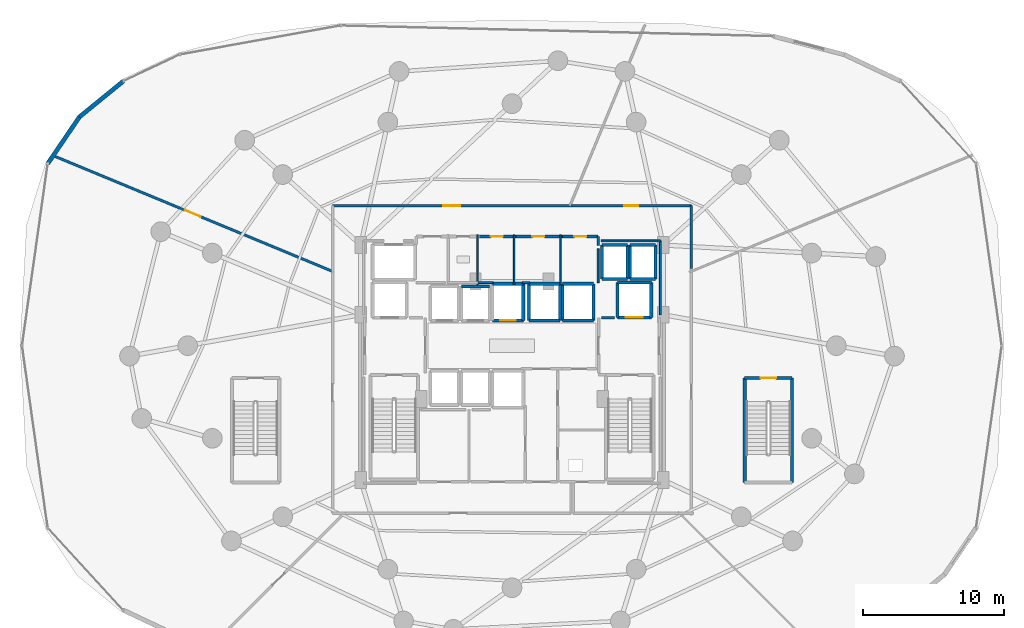
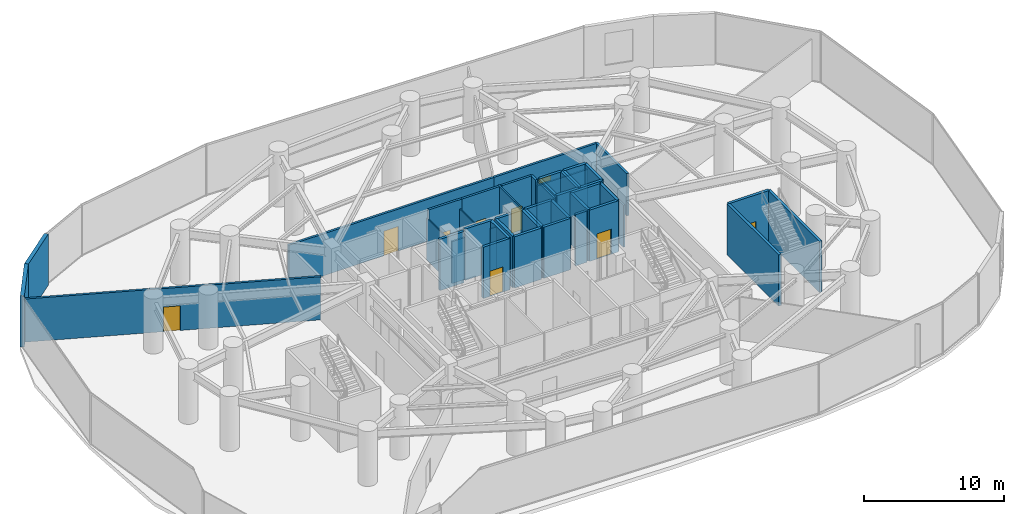
# One storey, part 23 of 26: 46 walls, 9 doors, 9 openings.
"""IFC4 building model written with IfcOpenShell, lengths in metres."""

from ifc_helpers import new_model, si_unit, direction, frame, frame_2d, origin, place, context, subcontext, project, spatial, rectangle, extrude, material, layer, layer_set, type_object, element, fill, save


model = new_model("IFC4")

# Units and contexts
model_context = context("Model", 3, precision=1e-05, world=origin(), true_north=direction((0.0, 1.0)))
body_context = subcontext(model_context, "Body", "Model", "MODEL_VIEW")
ifc_project = project(units=[si_unit("LENGTHUNIT", "METRE"), si_unit("AREAUNIT", "SQUARE_METRE"), si_unit("VOLUMEUNIT", "CUBIC_METRE"), si_unit("PLANEANGLEUNIT", "RADIAN"), si_unit("MASSUNIT", "GRAM", prefix="KILO")], contexts=[model_context])

# Site, building, storey
site_placement = place(None, origin())
site = spatial("IfcSite", under=ifc_project, at=site_placement, CompositionType="ELEMENT")
building_placement = place(site_placement, origin())
building = spatial("IfcBuilding", under=site, at=building_placement, Name="Vorneva Point Tower", CompositionType="ELEMENT")
storey_placement = place(building_placement, frame((0.0, 0.0, 14.39990234375)))
storey = spatial("IfcBuildingStorey", under=building, at=storey_placement, Name="L03", CompositionType="ELEMENT", Elevation=14.39990234375)

# Wall, opening, door
ifc_material_1 = material(Name="Concrete B60 (C50/60)", Category="concrete")
ifc_layer_1 = layer(ifc_material_1, 0.5)
ifc_layer_set_1 = layer_set([ifc_layer_1], Name="Concrete B60 (C50/60)")
wall_type_1 = type_object("IfcWallType", Name="WL-CORE-500", PredefinedType="SHEAR", material=ifc_layer_set_1)
wall_1_placement = place(storey_placement, frame((45.5, 28.0, 0.0), z_axis=(0.0, 0.0, 1.0), x_axis=(1.0, 0.0, 0.0)))
wall_1 = element("IfcWall", 1, at=wall_1_placement, inside=storey, type_object=wall_type_1, Name="L03 Lift FFL2 Shaft Wall -Y", PredefinedType="SHEAR", context=body_context, shape_type="SweptSolid", body=[
    extrude(rectangle(XDim=2.39990234375, YDim=0.219970703125, at=frame_2d((1.199951171875, 0.0))), origin(), (0.0, 0.0, 1.0), 4.47998046875),
])
opening_1_placement = place(wall_1_placement, frame((0.60009765625, 0.0, 0.0)))
opening_1 = element("IfcOpeningElement", 2, at=opening_1_placement, cuts=wall_1, Name="Opening LD-02", PredefinedType="OPENING", context=body_context, shape_type="SweptSolid", body=[
    extrude(rectangle(XDim=1.199951171875, YDim=2.199951171875, at=frame_2d((0.60009765625, 1.10009765625))), frame((0.0, 0.125, 0.0), z_axis=(0.0, -1.0, 0.0), x_axis=(1.0, 0.0, 0.0)), (0.0, 0.0, 1.0), 0.249755859375),
])
ifc_material_2 = material(Name="Brushed stainless steel S304", Category="steel")
door_type_1 = type_object("IfcDoorType", Name="LD-FIRE-1200", OperationType="SLIDING_TO_LEFT", PredefinedType="DOOR", material=ifc_material_2)
door_1_placement = place(opening_1_placement, origin())
door_1 = element("IfcDoor", 3, at=door_1_placement, inside=storey, type_object=door_type_1, Name="L03 Lift FFL2 Sliding Landing Door", OperationType="SLIDING_TO_LEFT", OverallHeight=2.199951171875, OverallWidth=1.199951171875, PredefinedType="DOOR", context=body_context, shape_type="SweptSolid", body=[
    extrude(rectangle(XDim=1.199951171875, YDim=2.199951171875, at=frame_2d((0.60009765625, 1.10009765625))), frame((0.0, 0.02490234375, 0.0), z_axis=(0.0, -1.0, 0.0), x_axis=(1.0, 0.0, 0.0)), (0.0, 0.0, 1.0), 0.050048828125),
])
fill(opening_1, door_1)

# Walls
wall_2_placement = place(storey_placement, frame((47.89990234375, 28.0, 0.0), z_axis=(0.0, 0.0, 1.0), x_axis=(0.0, 1.0, 0.0)))
element("IfcWall", 4, at=wall_2_placement, inside=storey, type_object=wall_type_1, Name="L03 Lift FFL2 Shaft Wall +X", PredefinedType="SHEAR", context=body_context, shape_type="SweptSolid", body=[
    extrude(rectangle(XDim=2.5, YDim=0.219970703125, at=frame_2d((1.25, 0.0))), origin(), (0.0, 0.0, 1.0), 4.47998046875),
])
wall_3_placement = place(storey_placement, frame((47.89990234375, 30.5, 0.0), z_axis=(0.0, 0.0, 1.0), x_axis=(-1.0, 0.0, 0.0)))
element("IfcWall", 5, at=wall_3_placement, inside=storey, type_object=wall_type_1, Name="L03 Lift FFL2 Shaft Wall +Y", PredefinedType="SHEAR", context=body_context, shape_type="SweptSolid", body=[
    extrude(rectangle(XDim=2.39990234375, YDim=0.219970703125, at=frame_2d((1.199951171875, 0.0))), origin(), (0.0, 0.0, 1.0), 4.47998046875),
])
wall_4_placement = place(storey_placement, frame((45.5, 30.5, 0.0), z_axis=(0.0, 0.0, 1.0), x_axis=(0.0, -1.0, 0.0)))
element("IfcWall", 6, at=wall_4_placement, inside=storey, type_object=wall_type_1, Name="L03 Lift FFL2 Shaft Wall -X", PredefinedType="SHEAR", context=body_context, shape_type="SweptSolid", body=[
    extrude(rectangle(XDim=2.5, YDim=0.219970703125, at=frame_2d((1.25, 0.0))), origin(), (0.0, 0.0, 1.0), 4.47998046875),
])
ifc_material_3 = material(Name="Precast concrete B50 (C40/50)", Category="concrete")
ifc_layer_2 = layer(ifc_material_3, 0.300048828125)
ifc_layer_set_2 = layer_set([ifc_layer_2], Name="Precast concrete B50 (C40/50)")
wall_type_2 = type_object("IfcWallType", Name="WL-EXT-300", PredefinedType="STANDARD", material=ifc_layer_set_2)
wall_5_placement = place(storey_placement, frame((10.380126953125, 44.802490234375, 0.0), z_axis=(0.0, 0.0, 1.0), x_axis=(-0.775604863632, -0.631218738244, 0.0)))
element("IfcWall", 7, at=wall_5_placement, inside=storey, type_object=wall_type_2, Name="L03 Pale-Metal Facade Spandrel Wall 07.1", PredefinedType="STANDARD", context=body_context, shape_type="SweptSolid", body=[
    extrude(rectangle(XDim=4.02099609375, YDim=0.300048828125, at=frame_2d((2.010498046875, 0.0))), origin(), (0.0, 0.0, 1.0), 4.47998046875),
])
wall_6_placement = place(storey_placement, frame((7.261474609375, 42.264404296875, 0.0), z_axis=(0.0, 0.0, 1.0), x_axis=(-0.561523750755, -0.827460619811, 0.0)))
element("IfcWall", 8, at=wall_6_placement, inside=storey, type_object=wall_type_2, Name="L03 Pale-Metal Facade Spandrel Wall 07.2", PredefinedType="STANDARD", context=body_context, shape_type="SweptSolid", body=[
    extrude(rectangle(XDim=4.010009765625, YDim=0.300048828125, at=frame_2d((2.0048828125, 0.0))), origin(), (0.0, 0.0, 1.0), 4.47998046875),
])
ifc_material_4 = material(Name="Fire-rated acoustic gypsum stud partition", Category="gypsum")
ifc_layer_3 = layer(ifc_material_4, 0.110107421875)
ifc_layer_set_3 = layer_set([ifc_layer_3], Name="Fire-rated acoustic gypsum stud partition")
wall_type_3 = type_object("IfcWallType", Name="WL-PART-110", PredefinedType="PARTITIONING", material=ifc_layer_set_3)
for number, where, z_axis, x_axis, name in (
    (9, (35.550048828125, 30.340087890625, 0.0), (0.0, 0.0, 1.0), (0.0, 1.0, 0.0), "L03 Interior Partition 017"),
    (10, (38.14990234375, 30.340087890625, 0.0), (0.0, 0.0, 1.0), (0.0, 1.0, 0.0), "L03 Interior Partition 019"),
):
    element("IfcWall", number, at=place(storey_placement, frame(where, z_axis=z_axis, x_axis=x_axis)), inside=storey, type_object=wall_type_3, Name=name, PredefinedType="PARTITIONING", context=body_context, shape_type="SweptSolid", body=[
        extrude(rectangle(XDim=3.559814453125, YDim=0.110107421875, at=frame_2d((1.77978515625, 0.0))), origin(), (0.0, 0.0, 1.0), 3.672119140625),
    ])
wall_7_placement = place(storey_placement, frame((41.449951171875, 30.340087890625, 0.0), z_axis=(0.0, 0.0, 1.0), x_axis=(0.0, 1.0, 0.0)))
element("IfcWall", 11, at=wall_7_placement, inside=storey, type_object=wall_type_3, Name="L03 Interior Partition 021", PredefinedType="PARTITIONING", context=body_context, shape_type="SweptSolid", body=[
    extrude(rectangle(XDim=3.559814453125, YDim=0.110107421875, at=frame_2d((1.77978515625, 0.0))), origin(), (0.0, 0.0, 1.0), 4.47998046875),
])
ifc_layer_4 = layer(ifc_material_4, 0.139892578125)
ifc_layer_set_4 = layer_set([ifc_layer_4], Name="Fire-rated acoustic gypsum stud partition")
wall_type_4 = type_object("IfcWallType", Name="WL-PART-140", PredefinedType="PARTITIONING", material=ifc_layer_set_4)
wall_8_placement = place(storey_placement, frame((35.60009765625, 30.47998046875, 0.0), z_axis=(0.0, 0.0, 1.0), x_axis=(1.0, 0.0, 0.0)))
element("IfcWall", 12, at=wall_8_placement, inside=storey, type_object=wall_type_4, Name="L03 Interior Closure Partition 049", PredefinedType="PARTITIONING", context=body_context, shape_type="SweptSolid", body=[
    extrude(rectangle(XDim=1.06494140625, YDim=0.139892578125, at=frame_2d((0.532470703125, 0.0))), origin(), (0.0, 0.0, 1.0), 3.672119140625),
])
wall_9_placement = place(storey_placement, frame((38.735107421875, 30.47998046875, 0.0), z_axis=(0.0, 0.0, 1.0), x_axis=(1.0, 0.0, 0.0)))
element("IfcWall", 13, at=wall_9_placement, inside=storey, type_object=wall_type_4, Name="L03 Interior Closure Partition 050", PredefinedType="PARTITIONING", context=body_context, shape_type="SweptSolid", body=[
    extrude(rectangle(XDim=0.52978515625, YDim=0.139892578125, at=frame_2d((0.264892578125, 0.0))), origin(), (0.0, 0.0, 1.0), 3.672119140625),
])
wall_10_placement = place(storey_placement, frame((44.1201171875, 30.47998046875, 0.0), z_axis=(0.0, 0.0, 1.0), x_axis=(0.0, 1.0, 0.0)))
element("IfcWall", 14, at=wall_10_placement, inside=storey, type_object=wall_type_4, Name="L03 Interior Closure Partition 051", PredefinedType="PARTITIONING", context=body_context, shape_type="SweptSolid", body=[
    extrude(rectangle(XDim=2.409912109375, YDim=0.139892578125, at=frame_2d((1.205078125, 0.0))), origin(), (0.0, 0.0, 1.0), 4.47998046875),
])
wall_11_placement = place(storey_placement, frame((44.340087890625, 33.449951171875, 0.0), z_axis=(0.0, 0.0, 1.0), x_axis=(1.0, 0.0, 0.0)))
element("IfcWall", 15, at=wall_11_placement, inside=storey, type_object=wall_type_4, Name="L03 Interior Closure Partition 054", PredefinedType="PARTITIONING", context=body_context, shape_type="SweptSolid", body=[
    extrude(rectangle(XDim=4.2099609375, YDim=0.139892578125, at=frame_2d((2.10498046875, 0.0))), origin(), (0.0, 0.0, 1.0), 3.672119140625),
])
wall_12_placement = place(storey_placement, frame((48.550048828125, 33.449951171875, 0.0), z_axis=(0.0, 0.0, 1.0), x_axis=(0.0, -1.0, 0.0)))
element("IfcWall", 16, at=wall_12_placement, inside=storey, type_object=wall_type_4, Name="L03 Interior Closure Partition 055", PredefinedType="PARTITIONING", context=body_context, shape_type="SweptSolid", body=[
    extrude(rectangle(XDim=5.25390625, YDim=0.139892578125, at=frame_2d((2.626953125, 0.0))), origin(), (0.0, 0.0, 1.0), 3.672119140625),
])

# Wall, opening, door
ifc_material_5 = material(Name="Autoclaved aerated concrete blockwork", Category="masonry")
ifc_layer_5 = layer(ifc_material_5, 0.179931640625)
ifc_layer_set_5 = layer_set([ifc_layer_5], Name="Autoclaved aerated concrete blockwork")
wall_type_5 = type_object("IfcWallType", Name="WL-PART-180", PredefinedType="PARTITIONING", material=ifc_layer_set_5)
wall_13_placement = place(storey_placement, frame((38.2900390625, 33.760009765625, 0.0), z_axis=(0.0, 0.0, 1.0), x_axis=(-1.0, 0.0, 0.0)))
wall_13 = element("IfcWall", 17, at=wall_13_placement, inside=storey, type_object=wall_type_5, Name="L03 Interior Partition 020", PredefinedType="PARTITIONING", context=body_context, shape_type="SweptSolid", body=[
    extrude(rectangle(XDim=2.739990234375, YDim=0.179931640625, at=frame_2d((1.3701171875, 0.0))), origin(), (0.0, 0.0, 1.0), 4.47998046875),
])
opening_2_placement = place(wall_13_placement, frame((0.945068359375, 0.0, 0.0)))
opening_2 = element("IfcOpeningElement", 18, at=opening_2_placement, cuts=wall_13, Name="Opening ID-02", PredefinedType="OPENING", context=body_context, shape_type="SweptSolid", body=[
    extrude(rectangle(XDim=0.85009765625, YDim=2.10009765625, at=frame_2d((0.425048828125, 1.050048828125))), frame((0.0, 0.10498046875, 0.0), z_axis=(0.0, -1.0, 0.0), x_axis=(1.0, 0.0, 0.0)), (0.0, 0.0, 1.0), 0.209716796875),
])
ifc_material_6 = material(Name="Engineered oak fire-rated door leaf", Category="wood")
door_type_2 = type_object("IfcDoorType", Name="DR-BATH-850", OperationType="NOTDEFINED", PredefinedType="DOOR", material=ifc_material_6)
door_2_placement = place(opening_2_placement, origin())
door_2 = element("IfcDoor", 19, at=door_2_placement, inside=storey, type_object=door_type_2, Name="L03 Door Public Male WC / L03 Circulation Corridor", OperationType="SINGLE_SWING_RIGHT", OverallHeight=2.10009765625, OverallWidth=0.85009765625, PredefinedType="DOOR", context=body_context, shape_type="SweptSolid", body=[
    extrude(rectangle(XDim=0.85009765625, YDim=2.10009765625, at=frame_2d((0.425048828125, 1.050048828125))), frame((0.0, 0.02490234375, 0.0), z_axis=(0.0, -1.0, 0.0), x_axis=(1.0, 0.0, 0.0)), (0.0, 0.0, 1.0), 0.050048828125),
])
fill(opening_2, door_2)

wall_14_placement = place(storey_placement, frame((41.590087890625, 33.760009765625, 0.0), z_axis=(0.0, 0.0, 1.0), x_axis=(-1.0, 0.0, 0.0)))
wall_14 = element("IfcWall", 20, at=wall_14_placement, inside=storey, type_object=wall_type_5, Name="L03 Interior Partition 022", PredefinedType="PARTITIONING", context=body_context, shape_type="SweptSolid", body=[
    extrude(rectangle(XDim=3.440185546875, YDim=0.179931640625, at=frame_2d((1.72021484375, 0.0))), origin(), (0.0, 0.0, 1.0), 4.47998046875),
])
opening_3_placement = place(wall_14_placement, frame((1.294921875, 0.0, 0.0)))
opening_3 = element("IfcOpeningElement", 21, at=opening_3_placement, cuts=wall_14, Name="Opening ID-02", PredefinedType="OPENING", context=body_context, shape_type="SweptSolid", body=[
    extrude(rectangle(XDim=0.85009765625, YDim=2.10009765625, at=frame_2d((0.425048828125, 1.050048828125))), frame((0.0, 0.10498046875, 0.0), z_axis=(0.0, -1.0, 0.0), x_axis=(1.0, 0.0, 0.0)), (0.0, 0.0, 1.0), 0.209716796875),
])
door_3_placement = place(opening_3_placement, origin())
door_3 = element("IfcDoor", 22, at=door_3_placement, inside=storey, type_object=door_type_2, Name="L03 Door Public Female WC / L03 Circulation Corridor", OperationType="SINGLE_SWING_LEFT", OverallHeight=2.10009765625, OverallWidth=0.85009765625, PredefinedType="DOOR", context=body_context, shape_type="SweptSolid", body=[
    extrude(rectangle(XDim=0.85009765625, YDim=2.10009765625, at=frame_2d((0.425048828125, 1.050048828125))), frame((0.0, 0.02490234375, 0.0), z_axis=(0.0, -1.0, 0.0), x_axis=(1.0, 0.0, 0.0)), (0.0, 0.0, 1.0), 0.050048828125),
])
fill(opening_3, door_3)

wall_15_placement = place(storey_placement, frame((44.1201171875, 33.760009765625, 0.0), z_axis=(0.0, 0.0, 1.0), x_axis=(-1.0, 0.0, 0.0)))
wall_15 = element("IfcWall", 23, at=wall_15_placement, inside=storey, type_object=wall_type_5, Name="L03 Interior Partition 023", PredefinedType="PARTITIONING", context=body_context, shape_type="SweptSolid", body=[
    extrude(rectangle(XDim=2.530029296875, YDim=0.179931640625, at=frame_2d((1.26513671875, 0.0))), origin(), (0.0, 0.0, 1.0), 4.47998046875),
])
opening_4_placement = place(wall_15_placement, frame((0.840087890625, 0.0, 0.0)))
opening_4 = element("IfcOpeningElement", 24, at=opening_4_placement, cuts=wall_15, Name="Opening ID-02", PredefinedType="OPENING", context=body_context, shape_type="SweptSolid", body=[
    extrude(rectangle(XDim=0.85009765625, YDim=2.10009765625, at=frame_2d((0.425048828125, 1.050048828125))), frame((0.0, 0.10498046875, 0.0), z_axis=(0.0, -1.0, 0.0), x_axis=(1.0, 0.0, 0.0)), (0.0, 0.0, 1.0), 0.209716796875),
])
door_4_placement = place(opening_4_placement, origin())
door_4 = element("IfcDoor", 25, at=door_4_placement, inside=storey, type_object=door_type_2, Name="L03 Door Cleaners Store / L03 Circulation Corridor", OperationType="SINGLE_SWING_RIGHT", OverallHeight=2.10009765625, OverallWidth=0.85009765625, PredefinedType="DOOR", context=body_context, shape_type="SweptSolid", body=[
    extrude(rectangle(XDim=0.85009765625, YDim=2.10009765625, at=frame_2d((0.425048828125, 1.050048828125))), frame((0.0, 0.02490234375, 0.0), z_axis=(0.0, -1.0, 0.0), x_axis=(1.0, 0.0, 0.0)), (0.0, 0.0, 1.0), 0.050048828125),
])
fill(opening_4, door_4)

# Wall
wall_16_placement = place(storey_placement, frame((44.1201171875, 33.110107421875, 0.0), z_axis=(0.0, 0.0, 1.0), x_axis=(0.0, 1.0, 0.0)))
element("IfcWall", 26, at=wall_16_placement, inside=storey, type_object=wall_type_5, Name="L03 Interior Partition 024", PredefinedType="PARTITIONING", context=body_context, shape_type="SweptSolid", body=[
    extrude(rectangle(XDim=0.64990234375, YDim=0.179931640625, at=frame_2d((0.324951171875, 0.0))), origin(), (0.0, 0.0, 1.0), 4.47998046875),
])

# Wall, opening, door
wall_17_placement = place(storey_placement, frame((42.18603515625, 35.949951171875, 0.0), z_axis=(0.0, 0.0, 1.0), x_axis=(-1.0, 0.0, 0.0)))
wall_17 = element("IfcWall", 27, at=wall_17_placement, inside=storey, type_object=wall_type_5, Name="L03 Interior Partition 028", PredefinedType="PARTITIONING", context=body_context, shape_type="SweptSolid", body=[
    extrude(rectangle(XDim=16.93603515625, YDim=0.179931640625, at=frame_2d((8.468017578125, 0.0))), origin(), (0.0, 0.0, 1.0), 3.672119140625),
])
opening_5_placement = place(wall_17_placement, frame((7.867919921875, 0.0, 0.0)))
opening_5 = element("IfcOpeningElement", 28, at=opening_5_placement, cuts=wall_17, Name="Opening FD-02", PredefinedType="OPENING", context=body_context, shape_type="SweptSolid", body=[
    extrude(rectangle(XDim=1.199951171875, YDim=2.14990234375, at=frame_2d((0.60009765625, 1.074951171875))), frame((0.0, 0.10498046875, 0.0), z_axis=(0.0, -1.0, 0.0), x_axis=(1.0, 0.0, 0.0)), (0.0, 0.0, 1.0), 0.209716796875),
])
ifc_material_7 = material(Name="Fire-rated powder-coated steel", Category="steel")
door_type_3 = type_object("IfcDoorType", Name="DR-FFL-1200", OperationType="NOTDEFINED", PredefinedType="DOOR", material=ifc_material_7)
door_5_placement = place(opening_5_placement, origin())
door_5 = element("IfcDoor", 29, at=door_5_placement, inside=storey, type_object=door_type_3, Name="L03 Door L03 Circulation Corridor / Grand Ballroom L03", OperationType="SINGLE_SWING_LEFT", OverallHeight=2.14990234375, OverallWidth=1.199951171875, PredefinedType="DOOR", context=body_context, shape_type="SweptSolid", body=[
    extrude(rectangle(XDim=1.199951171875, YDim=2.14990234375, at=frame_2d((0.60009765625, 1.074951171875))), frame((0.0, 0.02490234375, 0.0), z_axis=(0.0, -1.0, 0.0), x_axis=(1.0, 0.0, 0.0)), (0.0, 0.0, 1.0), 0.050048828125),
])
fill(opening_5, door_5)

# Wall
wall_18_placement = place(storey_placement, frame((50.75, 31.486083984375, 0.0), z_axis=(0.0, 0.0, 1.0), x_axis=(0.0, 1.0, 0.0)))
element("IfcWall", 30, at=wall_18_placement, inside=storey, type_object=wall_type_5, Name="L03 Interior Partition 038", PredefinedType="PARTITIONING", context=body_context, shape_type="SweptSolid", body=[
    extrude(rectangle(XDim=4.4638671875, YDim=0.179931640625, at=frame_2d((2.23193359375, 0.0))), origin(), (0.0, 0.0, 1.0), 3.672119140625),
])

# Wall, opening, door
wall_19_placement = place(storey_placement, frame((50.75, 35.949951171875, 0.0), z_axis=(0.0, 0.0, 1.0), x_axis=(-1.0, 0.0, 0.0)))
wall_19 = element("IfcWall", 31, at=wall_19_placement, inside=storey, type_object=wall_type_5, Name="L03 Interior Partition 039", PredefinedType="PARTITIONING", context=body_context, shape_type="SweptSolid", body=[
    extrude(rectangle(XDim=8.56396484375, YDim=0.179931640625, at=frame_2d((4.281982421875, 0.0))), origin(), (0.0, 0.0, 1.0), 3.672119140625),
])
opening_6_placement = place(wall_19_placement, frame((3.781982421875, 0.0, 0.0)))
opening_6 = element("IfcOpeningElement", 32, at=opening_6_placement, cuts=wall_19, Name="Opening UD-01", PredefinedType="OPENING", context=body_context, shape_type="SweptSolid", body=[
    extrude(rectangle(XDim=1.0, YDim=2.14990234375, at=frame_2d((0.5, 1.074951171875))), frame((0.0, 0.10498046875, 0.0), z_axis=(0.0, -1.0, 0.0), x_axis=(1.0, 0.0, 0.0)), (0.0, 0.0, 1.0), 0.209716796875),
])
door_type_4 = type_object("IfcDoorType", Name="DR-UNIT-1000", OperationType="NOTDEFINED", PredefinedType="DOOR", material=ifc_material_6)
door_6_placement = place(opening_6_placement, origin())
door_6 = element("IfcDoor", 33, at=door_6_placement, inside=storey, type_object=door_type_4, Name="L03 Door L03 Circulation Corridor / VIP Boardroom L03", OperationType="SINGLE_SWING_LEFT", OverallHeight=2.14990234375, OverallWidth=1.0, PredefinedType="DOOR", context=body_context, shape_type="SweptSolid", body=[
    extrude(rectangle(XDim=1.0, YDim=2.14990234375, at=frame_2d((0.5, 1.074951171875))), frame((0.0, 0.02490234375, 0.0), z_axis=(0.0, -1.0, 0.0), x_axis=(1.0, 0.0, 0.0)), (0.0, 0.0, 1.0), 0.050048828125),
])
fill(opening_6, door_6)

wall_20_placement = place(storey_placement, frame((5.375, 39.513916015625, 0.0), z_axis=(0.0, 0.0, 1.0), x_axis=(0.923872702064, -0.382699922108, 0.0)))
wall_20 = element("IfcWall", 34, at=wall_20_placement, inside=storey, type_object=wall_type_5, Name="L03 Interior Partition 040", PredefinedType="PARTITIONING", context=body_context, shape_type="SweptSolid", body=[
    extrude(rectangle(XDim=21.5126953125, YDim=0.179931640625, at=frame_2d((10.75634765625, 0.0))), origin(), (0.0, 0.0, 1.0), 3.76904296875),
])
opening_7_placement = place(wall_20_placement, frame((10.156494140625, 0.0, 0.0)))
opening_7 = element("IfcOpeningElement", 35, at=opening_7_placement, cuts=wall_20, Name="Opening FD-02", PredefinedType="OPENING", context=body_context, shape_type="SweptSolid", body=[
    extrude(rectangle(XDim=1.199951171875, YDim=2.14990234375, at=frame_2d((0.60009765625, 1.074951171875))), frame((0.0, 0.10498046875, 0.0), z_axis=(0.0, -1.0, 0.0), x_axis=(1.0, 0.0, 0.0)), (0.0, 0.0, 1.0), 0.209716796875),
])
door_7_placement = place(opening_7_placement, origin())
door_7 = element("IfcDoor", 36, at=door_7_placement, inside=storey, type_object=door_type_3, Name="L03 Door Grand Ballroom L03 / Pre-Function Foyer L03", OperationType="SINGLE_SWING_RIGHT", OverallHeight=2.14990234375, OverallWidth=1.199951171875, PredefinedType="DOOR", context=body_context, shape_type="SweptSolid", body=[
    extrude(rectangle(XDim=1.199951171875, YDim=2.14990234375, at=frame_2d((0.60009765625, 1.074951171875))), frame((0.0, 0.02490234375, 0.0), z_axis=(0.0, -1.0, 0.0), x_axis=(1.0, 0.0, 0.0)), (0.0, 0.0, 1.0), 0.050048828125),
])
fill(opening_7, door_7)

# Wall
wall_21_placement = place(storey_placement, frame((45.280029296875, 28.0, 0.0), z_axis=(0.0, 0.0, 1.0), x_axis=(-1.0, 0.0, 0.0)))
element("IfcWall", 37, at=wall_21_placement, inside=storey, type_object=wall_type_5, Name="L03 Interior Closure Partition 046", PredefinedType="PARTITIONING", context=body_context, shape_type="SweptSolid", body=[
    extrude(rectangle(XDim=0.9150390625, YDim=0.179931640625, at=frame_2d((0.45751953125, 0.0))), origin(), (0.0, 0.0, 1.0), 4.47998046875),
])

# Wall, opening, door
ifc_material_8 = material(Name="Concrete B50 (C40/50)", Category="concrete")
ifc_layer_6 = layer(ifc_material_8, 0.219970703125)
ifc_layer_set_6 = layer_set([ifc_layer_6], Name="Concrete B50 (C40/50)")
wall_type_6 = type_object("IfcWallType", Name="WL-SHFT-220", PredefinedType="SOLIDWALL", material=ifc_layer_set_6)
wall_22_placement = place(storey_placement, frame((54.5400390625, 23.7099609375, 0.0), z_axis=(0.0, 0.0, 1.0), x_axis=(1.0, 0.0, 0.0)))
wall_22 = element("IfcWall", 38, at=wall_22_placement, inside=storey, type_object=wall_type_6, Name="L03 Exit Stair ST4 Shaft Wall near", PredefinedType="SOLIDWALL", context=body_context, shape_type="SweptSolid", body=[
    extrude(rectangle(XDim=3.369873046875, YDim=0.219970703125, at=frame_2d((1.68505859375, 0.0))), origin(), (0.0, 0.0, 1.0), 4.47998046875),
])
opening_8_placement = place(wall_22_placement, frame((1.135009765625, 0.0, 0.0)))
opening_8 = element("IfcOpeningElement", 39, at=opening_8_placement, cuts=wall_22, Name="Opening FD-01", PredefinedType="OPENING", context=body_context, shape_type="SweptSolid", body=[
    extrude(rectangle(XDim=1.10009765625, YDim=2.14990234375, at=frame_2d((0.550048828125, 1.074951171875))), frame((0.0, 0.125, 0.0), z_axis=(0.0, -1.0, 0.0), x_axis=(1.0, 0.0, 0.0)), (0.0, 0.0, 1.0), 0.249755859375),
])
door_type_5 = type_object("IfcDoorType", Name="DR-STAIR-1100", OperationType="NOTDEFINED", PredefinedType="DOOR", material=ifc_material_7)
door_8_placement = place(opening_8_placement, origin())
door_8 = element("IfcDoor", 40, at=door_8_placement, inside=storey, type_object=door_type_5, Name="L03 Exit Stair ST4 Fire Door", OperationType="SINGLE_SWING_RIGHT", OverallHeight=2.14990234375, OverallWidth=1.10009765625, PredefinedType="DOOR", context=body_context, shape_type="SweptSolid", body=[
    extrude(rectangle(XDim=1.10009765625, YDim=2.14990234375, at=frame_2d((0.550048828125, 1.074951171875))), frame((0.0, 0.02490234375, 0.0), z_axis=(0.0, -1.0, 0.0), x_axis=(1.0, 0.0, 0.0)), (0.0, 0.0, 1.0), 0.050048828125),
])
fill(opening_8, door_8)

# Walls
for number, where, z_axis, x_axis, name in (
    (41, (57.909912109375, 23.7099609375, 0.0), (0.0, 0.0, 1.0), (0.0, -1.0, 0.0), "L03 Exit Stair ST4 Shaft Wall right"),
    (42, (54.5400390625, 16.2900390625, 0.0), (0.0, 0.0, 1.0), (0.0, 1.0, 0.0), "L03 Exit Stair ST4 Shaft Wall left"),
):
    element("IfcWall", number, at=place(storey_placement, frame(where, z_axis=z_axis, x_axis=x_axis)), inside=storey, type_object=wall_type_6, Name=name, PredefinedType="SOLIDWALL", context=body_context, shape_type="SweptSolid", body=[
        extrude(rectangle(XDim=7.419921875, YDim=0.219970703125, at=frame_2d((3.7099609375, 0.0))), origin(), (0.0, 0.0, 1.0), 4.47998046875),
    ])
wall_23_placement = place(storey_placement, frame((36.39990234375, 30.199951171875, 0.0), z_axis=(0.0, 0.0, 1.0), x_axis=(-1.0, 0.0, 0.0)))
element("IfcWall", 43, at=wall_23_placement, inside=storey, type_object=wall_type_6, Name="L03 Lift PL2 Shaft Wall +Y", PredefinedType="SOLIDWALL", context=body_context, shape_type="SweptSolid", body=[
    extrude(rectangle(XDim=2.0, YDim=0.219970703125, at=frame_2d((1.0, 0.0))), origin(), (0.0, 0.0, 1.0), 4.47998046875),
])

# Wall, opening, door
wall_24_placement = place(storey_placement, frame((36.60009765625, 27.800048828125, 0.0), z_axis=(0.0, 0.0, 1.0), x_axis=(1.0, 0.0, 0.0)))
wall_24 = element("IfcWall", 44, at=wall_24_placement, inside=storey, type_object=wall_type_6, Name="L03 Lift PL3 Shaft Wall -Y", PredefinedType="SOLIDWALL", context=body_context, shape_type="SweptSolid", body=[
    extrude(rectangle(XDim=2.199951171875, YDim=0.219970703125, at=frame_2d((1.10009765625, 0.0))), origin(), (0.0, 0.0, 1.0), 4.47998046875),
])
opening_9_placement = place(wall_24_placement, frame((0.550048828125, 0.0, 0.0)))
opening_9 = element("IfcOpeningElement", 45, at=opening_9_placement, cuts=wall_24, Name="Opening LD-01", PredefinedType="OPENING", context=body_context, shape_type="SweptSolid", body=[
    extrude(rectangle(XDim=1.10009765625, YDim=2.199951171875, at=frame_2d((0.550048828125, 1.10009765625))), frame((0.0, 0.125, 0.0), z_axis=(0.0, -1.0, 0.0), x_axis=(1.0, 0.0, 0.0)), (0.0, 0.0, 1.0), 0.249755859375),
])
door_type_6 = type_object("IfcDoorType", Name="LD-PASS-1100", OperationType="SLIDING_TO_LEFT", PredefinedType="DOOR", material=ifc_material_2)
door_9_placement = place(opening_9_placement, origin())
door_9 = element("IfcDoor", 46, at=door_9_placement, inside=storey, type_object=door_type_6, Name="L03 Lift PL3 Sliding Landing Door", OperationType="SLIDING_TO_LEFT", OverallHeight=2.199951171875, OverallWidth=1.10009765625, PredefinedType="DOOR", context=body_context, shape_type="SweptSolid", body=[
    extrude(rectangle(XDim=1.10009765625, YDim=2.199951171875, at=frame_2d((0.550048828125, 1.10009765625))), frame((0.0, 0.02490234375, 0.0), z_axis=(0.0, -1.0, 0.0), x_axis=(1.0, 0.0, 0.0)), (0.0, 0.0, 1.0), 0.050048828125),
])
fill(opening_9, door_9)

# Walls
wall_25_placement = place(storey_placement, frame((38.800048828125, 27.800048828125, 0.0), z_axis=(0.0, 0.0, 1.0), x_axis=(0.0, 1.0, 0.0)))
element("IfcWall", 47, at=wall_25_placement, inside=storey, type_object=wall_type_6, Name="L03 Lift PL3 Shaft Wall +X", PredefinedType="SOLIDWALL", context=body_context, shape_type="SweptSolid", body=[
    extrude(rectangle(XDim=2.599853515625, YDim=0.219970703125, at=frame_2d((1.2998046875, 0.0))), origin(), (0.0, 0.0, 1.0), 4.47998046875),
])
for number, where, z_axis, x_axis, name in (
    (48, (38.800048828125, 30.39990234375, 0.0), (0.0, 0.0, 1.0), (-1.0, 0.0, 0.0), "L03 Lift PL3 Shaft Wall +Y"),
    (49, (39.199951171875, 27.800048828125, 0.0), (0.0, 0.0, 1.0), (1.0, 0.0, 0.0), "L03 Lift PL7 Shaft Wall -Y"),
):
    element("IfcWall", number, at=place(storey_placement, frame(where, z_axis=z_axis, x_axis=x_axis)), inside=storey, type_object=wall_type_6, Name=name, PredefinedType="SOLIDWALL", context=body_context, shape_type="SweptSolid", body=[
        extrude(rectangle(XDim=2.199951171875, YDim=0.219970703125, at=frame_2d((1.10009765625, 0.0))), origin(), (0.0, 0.0, 1.0), 4.47998046875),
    ])
wall_26_placement = place(storey_placement, frame((41.39990234375, 27.800048828125, 0.0), z_axis=(0.0, 0.0, 1.0), x_axis=(0.0, 1.0, 0.0)))
element("IfcWall", 50, at=wall_26_placement, inside=storey, type_object=wall_type_6, Name="L03 Lift PL7 Shaft Wall +X", PredefinedType="SOLIDWALL", context=body_context, shape_type="SweptSolid", body=[
    extrude(rectangle(XDim=2.599853515625, YDim=0.219970703125, at=frame_2d((1.2998046875, 0.0))), origin(), (0.0, 0.0, 1.0), 4.47998046875),
])
wall_27_placement = place(storey_placement, frame((41.39990234375, 30.39990234375, 0.0), z_axis=(0.0, 0.0, 1.0), x_axis=(-1.0, 0.0, 0.0)))
element("IfcWall", 51, at=wall_27_placement, inside=storey, type_object=wall_type_6, Name="L03 Lift PL7 Shaft Wall +Y", PredefinedType="SOLIDWALL", context=body_context, shape_type="SweptSolid", body=[
    extrude(rectangle(XDim=2.199951171875, YDim=0.219970703125, at=frame_2d((1.10009765625, 0.0))), origin(), (0.0, 0.0, 1.0), 4.47998046875),
])
wall_28_placement = place(storey_placement, frame((39.199951171875, 30.39990234375, 0.0), z_axis=(0.0, 0.0, 1.0), x_axis=(0.0, -1.0, 0.0)))
element("IfcWall", 52, at=wall_28_placement, inside=storey, type_object=wall_type_6, Name="L03 Lift PL7 Shaft Wall -X", PredefinedType="SOLIDWALL", context=body_context, shape_type="SweptSolid", body=[
    extrude(rectangle(XDim=2.599853515625, YDim=0.219970703125, at=frame_2d((1.2998046875, 0.0))), origin(), (0.0, 0.0, 1.0), 4.47998046875),
])
wall_29_placement = place(storey_placement, frame((41.60009765625, 27.800048828125, 0.0), z_axis=(0.0, 0.0, 1.0), x_axis=(1.0, 0.0, 0.0)))
element("IfcWall", 53, at=wall_29_placement, inside=storey, type_object=wall_type_6, Name="L03 Lift PL8 Shaft Wall -Y", PredefinedType="SOLIDWALL", context=body_context, shape_type="SweptSolid", body=[
    extrude(rectangle(XDim=2.199951171875, YDim=0.219970703125, at=frame_2d((1.10009765625, 0.0))), origin(), (0.0, 0.0, 1.0), 4.47998046875),
])
wall_30_placement = place(storey_placement, frame((43.800048828125, 27.800048828125, 0.0), z_axis=(0.0, 0.0, 1.0), x_axis=(0.0, 1.0, 0.0)))
element("IfcWall", 54, at=wall_30_placement, inside=storey, type_object=wall_type_6, Name="L03 Lift PL8 Shaft Wall +X", PredefinedType="SOLIDWALL", context=body_context, shape_type="SweptSolid", body=[
    extrude(rectangle(XDim=2.599853515625, YDim=0.219970703125, at=frame_2d((1.2998046875, 0.0))), origin(), (0.0, 0.0, 1.0), 4.47998046875),
])
wall_31_placement = place(storey_placement, frame((43.800048828125, 30.39990234375, 0.0), z_axis=(0.0, 0.0, 1.0), x_axis=(-1.0, 0.0, 0.0)))
element("IfcWall", 55, at=wall_31_placement, inside=storey, type_object=wall_type_6, Name="L03 Lift PL8 Shaft Wall +Y", PredefinedType="SOLIDWALL", context=body_context, shape_type="SweptSolid", body=[
    extrude(rectangle(XDim=2.199951171875, YDim=0.219970703125, at=frame_2d((1.10009765625, 0.0))), origin(), (0.0, 0.0, 1.0), 4.47998046875),
])
wall_32_placement = place(storey_placement, frame((41.60009765625, 30.39990234375, 0.0), z_axis=(0.0, 0.0, 1.0), x_axis=(0.0, -1.0, 0.0)))
element("IfcWall", 56, at=wall_32_placement, inside=storey, type_object=wall_type_6, Name="L03 Lift PL8 Shaft Wall -X", PredefinedType="SOLIDWALL", context=body_context, shape_type="SweptSolid", body=[
    extrude(rectangle(XDim=2.599853515625, YDim=0.219970703125, at=frame_2d((1.2998046875, 0.0))), origin(), (0.0, 0.0, 1.0), 4.47998046875),
])
wall_33_placement = place(storey_placement, frame((44.39990234375, 30.739990234375, 0.0), z_axis=(0.0, 0.0, 1.0), x_axis=(1.0, 0.0, 0.0)))
element("IfcWall", 57, at=wall_33_placement, inside=storey, type_object=wall_type_6, Name="L03 Lift EX1 Shaft Wall -Y", PredefinedType="SOLIDWALL", context=body_context, shape_type="SweptSolid", body=[
    extrude(rectangle(XDim=1.800048828125, YDim=0.219970703125, at=frame_2d((0.89990234375, 0.0))), origin(), (0.0, 0.0, 1.0), 4.47998046875),
])
wall_34_placement = place(storey_placement, frame((46.199951171875, 30.739990234375, 0.0), z_axis=(0.0, 0.0, 1.0), x_axis=(0.0, 1.0, 0.0)))
element("IfcWall", 58, at=wall_34_placement, inside=storey, type_object=wall_type_6, Name="L03 Lift EX1 Shaft Wall +X", PredefinedType="SOLIDWALL", context=body_context, shape_type="SweptSolid", body=[
    extrude(rectangle(XDim=2.419921875, YDim=0.219970703125, at=frame_2d((1.2099609375, 0.0))), origin(), (0.0, 0.0, 1.0), 4.47998046875),
])
wall_35_placement = place(storey_placement, frame((46.199951171875, 33.159912109375, 0.0), z_axis=(0.0, 0.0, 1.0), x_axis=(-1.0, 0.0, 0.0)))
element("IfcWall", 59, at=wall_35_placement, inside=storey, type_object=wall_type_6, Name="L03 Lift EX1 Shaft Wall +Y", PredefinedType="SOLIDWALL", context=body_context, shape_type="SweptSolid", body=[
    extrude(rectangle(XDim=1.800048828125, YDim=0.219970703125, at=frame_2d((0.89990234375, 0.0))), origin(), (0.0, 0.0, 1.0), 4.47998046875),
])
wall_36_placement = place(storey_placement, frame((44.39990234375, 33.159912109375, 0.0), z_axis=(0.0, 0.0, 1.0), x_axis=(0.0, -1.0, 0.0)))
element("IfcWall", 60, at=wall_36_placement, inside=storey, type_object=wall_type_6, Name="L03 Lift EX1 Shaft Wall -X", PredefinedType="SOLIDWALL", context=body_context, shape_type="SweptSolid", body=[
    extrude(rectangle(XDim=2.419921875, YDim=0.219970703125, at=frame_2d((1.2099609375, 0.0))), origin(), (0.0, 0.0, 1.0), 4.47998046875),
])
wall_37_placement = place(storey_placement, frame((46.39990234375, 30.739990234375, 0.0), z_axis=(0.0, 0.0, 1.0), x_axis=(1.0, 0.0, 0.0)))
element("IfcWall", 61, at=wall_37_placement, inside=storey, type_object=wall_type_6, Name="L03 Lift EX2 Shaft Wall -Y", PredefinedType="SOLIDWALL", context=body_context, shape_type="SweptSolid", body=[
    extrude(rectangle(XDim=1.800048828125, YDim=0.219970703125, at=frame_2d((0.89990234375, 0.0))), origin(), (0.0, 0.0, 1.0), 4.47998046875),
])
wall_38_placement = place(storey_placement, frame((48.199951171875, 30.739990234375, 0.0), z_axis=(0.0, 0.0, 1.0), x_axis=(0.0, 1.0, 0.0)))
element("IfcWall", 62, at=wall_38_placement, inside=storey, type_object=wall_type_6, Name="L03 Lift EX2 Shaft Wall +X", PredefinedType="SOLIDWALL", context=body_context, shape_type="SweptSolid", body=[
    extrude(rectangle(XDim=2.419921875, YDim=0.219970703125, at=frame_2d((1.2099609375, 0.0))), origin(), (0.0, 0.0, 1.0), 4.47998046875),
])
wall_39_placement = place(storey_placement, frame((48.199951171875, 33.159912109375, 0.0), z_axis=(0.0, 0.0, 1.0), x_axis=(-1.0, 0.0, 0.0)))
element("IfcWall", 63, at=wall_39_placement, inside=storey, type_object=wall_type_6, Name="L03 Lift EX2 Shaft Wall +Y", PredefinedType="SOLIDWALL", context=body_context, shape_type="SweptSolid", body=[
    extrude(rectangle(XDim=1.800048828125, YDim=0.219970703125, at=frame_2d((0.89990234375, 0.0))), origin(), (0.0, 0.0, 1.0), 4.47998046875),
])
wall_40_placement = place(storey_placement, frame((46.39990234375, 33.159912109375, 0.0), z_axis=(0.0, 0.0, 1.0), x_axis=(0.0, -1.0, 0.0)))
element("IfcWall", 64, at=wall_40_placement, inside=storey, type_object=wall_type_6, Name="L03 Lift EX2 Shaft Wall -X", PredefinedType="SOLIDWALL", context=body_context, shape_type="SweptSolid", body=[
    extrude(rectangle(XDim=2.419921875, YDim=0.219970703125, at=frame_2d((1.2099609375, 0.0))), origin(), (0.0, 0.0, 1.0), 4.47998046875),
])

save(model, "model.ifc")
